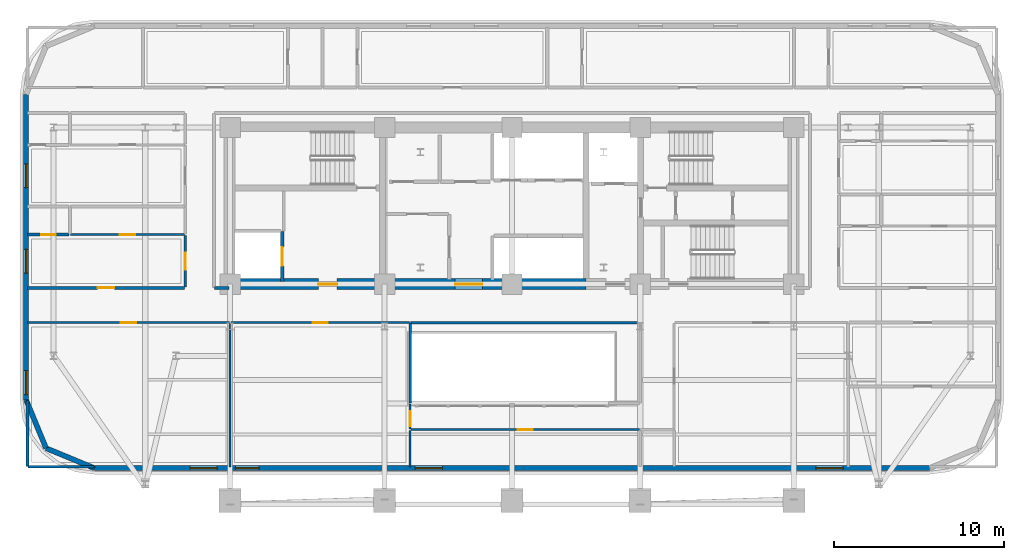
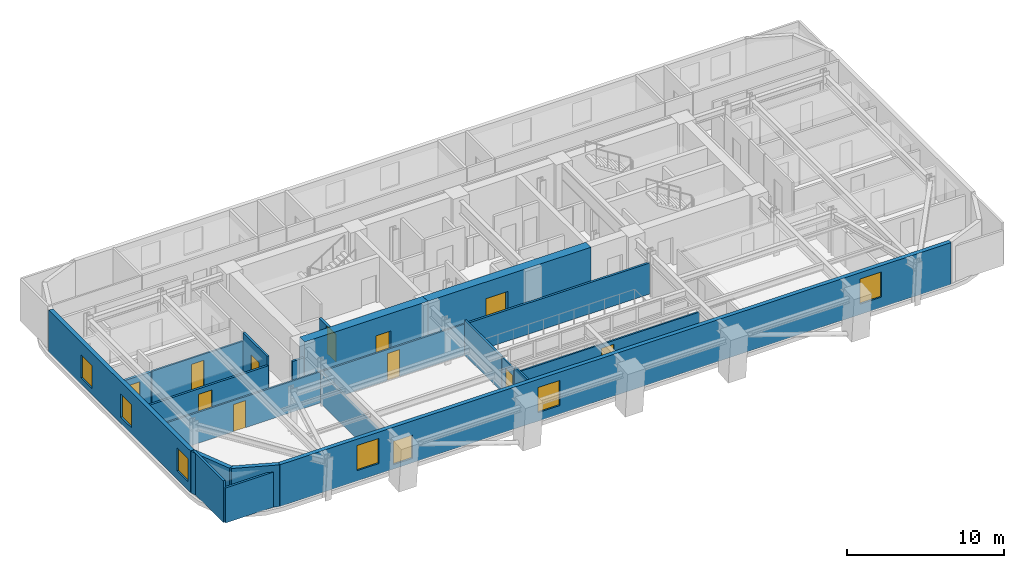
# One storey, part 7 of 14: 22 walls, 11 doors, 7 windows, 18 openings.
"""IFC4 building model written with IfcOpenShell, lengths in metres."""

from ifc_helpers import new_model, si_unit, direction, frame, frame_2d, origin, place, context, subcontext, project, spatial, rectangle, extrude, material, layer, layer_set, type_object, element, fill, save


model = new_model("IFC4")

# Units and contexts
model_context = context("Model", 3, precision=1e-05, world=origin(), true_north=direction((0.0, 1.0)))
body_context = subcontext(model_context, "Body", "Model", "MODEL_VIEW")
ifc_project = project(units=[si_unit("LENGTHUNIT", "METRE"), si_unit("AREAUNIT", "SQUARE_METRE"), si_unit("VOLUMEUNIT", "CUBIC_METRE"), si_unit("PLANEANGLEUNIT", "RADIAN"), si_unit("MASSUNIT", "GRAM", prefix="KILO")], contexts=[model_context])

# Site, building, storey
site_placement = place(None, origin())
site = spatial("IfcSite", under=ifc_project, at=site_placement, CompositionType="ELEMENT")
building_placement = place(site_placement, origin())
building = spatial("IfcBuilding", under=site, at=building_placement, Name="Zarnavel Station Tower", CompositionType="ELEMENT")
storey_placement = place(building_placement, frame((0.0, 0.0, 122.300048828125)))
storey = spatial("IfcBuildingStorey", under=building, at=storey_placement, Name="L33", CompositionType="ELEMENT", Elevation=122.300048828125)

# Wall, opening, door
ifc_material_1 = material(Name="Concrete C60/75", Category="concrete")
ifc_layer_1 = layer(ifc_material_1, 0.64990234375)
ifc_layer_set_1 = layer_set([ifc_layer_1], Name="CW_650")
wall_type_1 = type_object("IfcWallType", Name="CW_650", PredefinedType="SHEAR", material=ifc_layer_set_1)
wall_1_placement = place(storey_placement, frame((21.179931640625, 27.820068359375, 0.0), z_axis=(0.0, 0.0, 1.0), x_axis=(-1.0, 0.0, 0.0)))
wall_1 = element("IfcWall", 1, at=wall_1_placement, inside=storey, type_object=wall_type_1, Name="L33 Rear Core Shear Wall S-W", PredefinedType="SHEAR", context=body_context, shape_type="SweptSolid", body=[
    extrude(rectangle(XDim=9.030029296875, YDim=0.64990234375, at=frame_2d((4.51513671875, 0.0))), origin(), (0.0, 0.0, 1.0), 3.5),
])
opening_1_placement = place(wall_1_placement, frame((2.679931640625, 0.0, 0.0)))
opening_1 = element("IfcOpeningElement", 2, at=opening_1_placement, cuts=wall_1, Name="Opening FD01", PredefinedType="OPENING", context=body_context, shape_type="SweptSolid", body=[
    extrude(rectangle(XDim=1.10009765625, YDim=2.14990234375, at=frame_2d((0.550048828125, 1.074951171875))), frame((0.0, 0.3349609375, 0.0), z_axis=(0.0, -1.0, 0.0), x_axis=(1.0, 0.0, 0.0)), (0.0, 0.0, 1.0), 0.669921875),
])
ifc_material_2 = material(Name="Painted Galvanised Steel and Hardwood Leaf", Category="steel")
door_type_1 = type_object("IfcDoorType", Name="ID_STAIR_1100", OperationType="NOTDEFINED", PredefinedType="DOOR", material=ifc_material_2)
door_1_placement = place(opening_1_placement, origin())
door_1 = element("IfcDoor", 3, at=door_1_placement, inside=storey, type_object=door_type_1, Name="L33 West Firefighting Lobby Door", OperationType="SINGLE_SWING_RIGHT", OverallHeight=2.14990234375, OverallWidth=1.10009765625, PredefinedType="DOOR", context=body_context, shape_type="SweptSolid", body=[
    extrude(rectangle(XDim=1.10009765625, YDim=2.14990234375, at=frame_2d((0.550048828125, 1.074951171875))), frame((0.0, 0.02490234375, 0.0), z_axis=(0.0, -1.0, 0.0), x_axis=(1.0, 0.0, 0.0)), (0.0, 0.0, 1.0), 0.050048828125),
])
fill(opening_1, door_1)

wall_2_placement = place(storey_placement, frame((33.14990234375, 27.820068359375, 0.0), z_axis=(0.0, 0.0, 1.0), x_axis=(-1.0, 0.0, 0.0)))
wall_2 = element("IfcWall", 4, at=wall_2_placement, inside=storey, type_object=wall_type_1, Name="L33 Rear Core Shear Wall S-M", PredefinedType="SHEAR", context=body_context, shape_type="SweptSolid", body=[
    extrude(rectangle(XDim=11.969970703125, YDim=0.64990234375, at=frame_2d((5.98486328125, 0.0))), origin(), (0.0, 0.0, 1.0), 3.5),
])
opening_2_placement = place(wall_2_placement, frame((6.10009765625, 0.0, 0.0)))
opening_2 = element("IfcOpeningElement", 5, at=opening_2_placement, cuts=wall_2, Name="Opening ID03", PredefinedType="OPENING", context=body_context, shape_type="SweptSolid", body=[
    extrude(rectangle(XDim=1.60009765625, YDim=2.199951171875, at=frame_2d((0.800048828125, 1.10009765625))), frame((0.0, 0.3349609375, 0.0), z_axis=(0.0, -1.0, 0.0), x_axis=(1.0, 0.0, 0.0)), (0.0, 0.0, 1.0), 0.669921875),
])
ifc_material_3 = material(Name="Painted Galvanised Steel and Hardwood Leaf", Category="steel")
door_type_2 = type_object("IfcDoorType", Name="ID_PUBLIC_1600", OperationType="DOUBLE_DOOR_SINGLE_SWING", PredefinedType="DOOR", material=ifc_material_3)
door_2_placement = place(opening_2_placement, origin())
door_2 = element("IfcDoor", 6, at=door_2_placement, inside=storey, type_object=door_type_2, Name="L33 Passenger Lift Lobby Double Door", OperationType="SINGLE_SWING_LEFT", OverallHeight=2.199951171875, OverallWidth=1.60009765625, PredefinedType="DOOR", context=body_context, shape_type="SweptSolid", body=[
    extrude(rectangle(XDim=1.60009765625, YDim=2.199951171875, at=frame_2d((0.800048828125, 1.10009765625))), frame((0.0, 0.02490234375, 0.0), z_axis=(0.0, -1.0, 0.0), x_axis=(1.0, 0.0, 0.0)), (0.0, 0.0, 1.0), 0.050048828125),
])
fill(opening_2, door_2)

# Wall, openings, windows
ifc_material_4 = material(Name="Precast concrete C45/55 (Dark Basalt Finish)", Category="masonry")
ifc_layer_2 = layer(ifc_material_4, 0.300048828125)
ifc_layer_set_2 = layer_set([ifc_layer_2], Name="EW_BASALT_300")
wall_type_2 = type_object("IfcWallType", Name="EW_BASALT_300", PredefinedType="SOLIDWALL", material=ifc_layer_set_2)
wall_3_placement = place(storey_placement, frame((0.179931640625, 21.0, 0.0), z_axis=(0.0, 0.0, 1.0), x_axis=(0.0, 1.0, 0.0)))
wall_3 = element("IfcWall", 7, at=wall_3_placement, inside=storey, type_object=wall_type_2, Name="L33 Exterior Basalt Masonry Frame Wall 09", PredefinedType="SOLIDWALL", context=body_context, shape_type="SweptSolid", body=[
    extrude(rectangle(XDim=18.0, YDim=0.300048828125, at=frame_2d((9.0, 0.0))), origin(), (0.0, 0.0, 1.0), 3.239990234375),
])
opening_3_placement = place(wall_3_placement, frame((7.470458984375, 0.0, 0.47998046875)))
opening_3 = element("IfcOpeningElement", 8, at=opening_3_placement, cuts=wall_3, Name="Opening WN01", PredefinedType="OPENING", context=body_context, shape_type="SweptSolid", body=[
    extrude(rectangle(XDim=1.39990234375, YDim=1.800048828125, at=frame_2d((0.699951171875, 0.89990234375))), frame((0.0, 0.159912109375, 0.0), z_axis=(0.0, -1.0, 0.0), x_axis=(1.0, 0.0, 0.0)), (0.0, 0.0, 1.0), 0.320068359375),
])
opening_4_placement = place(wall_3_placement, frame((12.509033203125, 0.0, 0.47998046875)))
opening_4 = element("IfcOpeningElement", 9, at=opening_4_placement, cuts=wall_3, Name="Opening WN01", PredefinedType="OPENING", context=body_context, shape_type="SweptSolid", body=[
    extrude(rectangle(XDim=1.39990234375, YDim=1.800048828125, at=frame_2d((0.699951171875, 0.89990234375))), frame((0.0, 0.159912109375, 0.0), z_axis=(0.0, -1.0, 0.0), x_axis=(1.0, 0.0, 0.0)), (0.0, 0.0, 1.0), 0.320068359375),
])
opening_5_placement = place(wall_3_placement, frame((0.320068359375, 0.0, 0.64990234375)))
opening_5 = element("IfcOpeningElement", 10, at=opening_5_placement, cuts=wall_3, Name="Opening WN01", PredefinedType="OPENING", context=body_context, shape_type="SweptSolid", body=[
    extrude(rectangle(XDim=1.39990234375, YDim=1.800048828125, at=frame_2d((0.699951171875, 0.89990234375))), frame((0.0, 0.159912109375, 0.0), z_axis=(0.0, -1.0, 0.0), x_axis=(1.0, 0.0, 0.0)), (0.0, 0.0, 1.0), 0.320068359375),
])
ifc_material_5 = material(Name="Thermally Broken Black Aluminium and Low-E Dark Glass", Category="aluminium")
window_type_1 = type_object("IfcWindowType", Name="WN_1400x1800", PartitioningType="DOUBLE_PANEL_VERTICAL", PredefinedType="WINDOW", material=ifc_material_5)
window_1_placement = place(opening_3_placement, origin())
window_1 = element("IfcWindow", 11, at=window_1_placement, inside=storey, type_object=window_type_1, Name="L33 Recessed Facade Window 01", OverallHeight=1.800048828125, OverallWidth=1.39990234375, PartitioningType="SINGLE_PANEL", PredefinedType="WINDOW", context=body_context, shape_type="SweptSolid", body=[
    extrude(rectangle(XDim=1.39990234375, YDim=1.800048828125, at=frame_2d((0.699951171875, 0.89990234375))), frame((0.0, 0.030029296875, 0.0), z_axis=(0.0, -1.0, 0.0), x_axis=(1.0, 0.0, 0.0)), (0.0, 0.0, 1.0), 0.06005859375),
])
fill(opening_3, window_1)
window_2_placement = place(opening_4_placement, origin())
window_2 = element("IfcWindow", 12, at=window_2_placement, inside=storey, type_object=window_type_1, Name="L33 Recessed Facade Window 02", OverallHeight=1.800048828125, OverallWidth=1.39990234375, PartitioningType="SINGLE_PANEL", PredefinedType="WINDOW", context=body_context, shape_type="SweptSolid", body=[
    extrude(rectangle(XDim=1.39990234375, YDim=1.800048828125, at=frame_2d((0.699951171875, 0.89990234375))), frame((0.0, 0.030029296875, 0.0), z_axis=(0.0, -1.0, 0.0), x_axis=(1.0, 0.0, 0.0)), (0.0, 0.0, 1.0), 0.06005859375),
])
fill(opening_4, window_2)
window_3_placement = place(opening_5_placement, origin())
window_3 = element("IfcWindow", 13, at=window_3_placement, inside=storey, type_object=window_type_1, Name="L33 Recessed Facade Window 03", OverallHeight=1.800048828125, OverallWidth=1.39990234375, PartitioningType="SINGLE_PANEL", PredefinedType="WINDOW", context=body_context, shape_type="SweptSolid", body=[
    extrude(rectangle(XDim=1.39990234375, YDim=1.800048828125, at=frame_2d((0.699951171875, 0.89990234375))), frame((0.0, 0.030029296875, 0.0), z_axis=(0.0, -1.0, 0.0), x_axis=(1.0, 0.0, 0.0)), (0.0, 0.0, 1.0), 0.06005859375),
])
fill(opening_5, window_3)

# Walls
for number, where, z_axis, x_axis, name in (
    (14, (1.357421875, 18.157470703125, 0.0), (0.0, 0.0, 1.0), (-0.382704529509, 0.923870793506, 0.0), "L33 Exterior Basalt Masonry Frame Wall 10"),
    (15, (4.199951171875, 16.97998046875, 0.0), (0.0, 0.0, 1.0), (-0.923870793506, 0.382704529509, 0.0), "L33 Exterior Basalt Masonry Frame Wall 11"),
):
    element("IfcWall", number, at=place(storey_placement, frame(where, z_axis=z_axis, x_axis=x_axis)), inside=storey, type_object=wall_type_2, Name=name, PredefinedType="SOLIDWALL", context=body_context, shape_type="SweptSolid", body=[
        extrude(rectangle(XDim=3.07666015625, YDim=0.300048828125, at=frame_2d((1.538330078125, 0.0))), origin(), (0.0, 0.0, 1.0), 3.239990234375),
    ])

# Wall, openings, windows
wall_4_placement = place(storey_placement, frame((53.39990234375, 16.97998046875, 0.0), z_axis=(0.0, 0.0, 1.0), x_axis=(-1.0, 0.0, 0.0)))
wall_4 = element("IfcWall", 16, at=wall_4_placement, inside=storey, type_object=wall_type_2, Name="L33 Exterior Basalt Masonry Frame Wall 12", PredefinedType="SOLIDWALL", context=body_context, shape_type="SweptSolid", body=[
    extrude(rectangle(XDim=49.199951171875, YDim=0.300048828125, at=frame_2d((24.60009765625, 0.0))), origin(), (0.0, 0.0, 1.0), 3.239990234375),
])
opening_6_placement = place(wall_4_placement, frame((41.96240234375, 0.0, 0.800048828125)))
opening_6 = element("IfcOpeningElement", 17, at=opening_6_placement, cuts=wall_4, Name="Opening WN06", PredefinedType="OPENING", context=body_context, shape_type="SweptSolid", body=[
    extrude(rectangle(XDim=1.60009765625, YDim=1.949951171875, at=frame_2d((0.800048828125, 0.97509765625))), frame((0.0, 0.159912109375, 0.0), z_axis=(0.0, -1.0, 0.0), x_axis=(1.0, 0.0, 0.0)), (0.0, 0.0, 1.0), 0.320068359375),
])
opening_7_placement = place(wall_4_placement, frame((39.5, 0.0, 0.340087890625)))
opening_7 = element("IfcOpeningElement", 18, at=opening_7_placement, cuts=wall_4, Name="Opening WN01", PredefinedType="OPENING", context=body_context, shape_type="SweptSolid", body=[
    extrude(rectangle(XDim=1.39990234375, YDim=1.800048828125, at=frame_2d((0.699951171875, 0.89990234375))), frame((0.0, 0.159912109375, 0.0), z_axis=(0.0, -1.0, 0.0), x_axis=(1.0, 0.0, 0.0)), (0.0, 0.0, 1.0), 0.320068359375),
])
opening_8_placement = place(wall_4_placement, frame((28.699951171875, 0.0, 0.64990234375)))
opening_8 = element("IfcOpeningElement", 19, at=opening_8_placement, cuts=wall_4, Name="Opening WN06", PredefinedType="OPENING", context=body_context, shape_type="SweptSolid", body=[
    extrude(rectangle(XDim=1.60009765625, YDim=1.949951171875, at=frame_2d((0.800048828125, 0.97509765625))), frame((0.0, 0.159912109375, 0.0), z_axis=(0.0, -1.0, 0.0), x_axis=(1.0, 0.0, 0.0)), (0.0, 0.0, 1.0), 0.320068359375),
])
opening_9_placement = place(wall_4_placement, frame((5.10009765625, 0.0, 0.800048828125)))
opening_9 = element("IfcOpeningElement", 20, at=opening_9_placement, cuts=wall_4, Name="Opening WN06", PredefinedType="OPENING", context=body_context, shape_type="SweptSolid", body=[
    extrude(rectangle(XDim=1.60009765625, YDim=1.949951171875, at=frame_2d((0.800048828125, 0.97509765625))), frame((0.0, 0.159912109375, 0.0), z_axis=(0.0, -1.0, 0.0), x_axis=(1.0, 0.0, 0.0)), (0.0, 0.0, 1.0), 0.320068359375),
])
window_4_placement = place(opening_7_placement, origin())
window_4 = element("IfcWindow", 21, at=window_4_placement, inside=storey, type_object=window_type_1, Name="L33 Recessed Facade Window 02", OverallHeight=1.800048828125, OverallWidth=1.39990234375, PartitioningType="SINGLE_PANEL", PredefinedType="WINDOW", context=body_context, shape_type="SweptSolid", body=[
    extrude(rectangle(XDim=1.39990234375, YDim=1.800048828125, at=frame_2d((0.699951171875, 0.89990234375))), frame((0.0, 0.030029296875, 0.0), z_axis=(0.0, -1.0, 0.0), x_axis=(1.0, 0.0, 0.0)), (0.0, 0.0, 1.0), 0.06005859375),
])
fill(opening_7, window_4)
ifc_material_6 = material(Name="Thermally Broken Black Aluminium and Low-E Dark Glass", Category="aluminium")
window_type_2 = type_object("IfcWindowType", Name="WN_1600x1950", PartitioningType="DOUBLE_PANEL_VERTICAL", PredefinedType="WINDOW", material=ifc_material_6)
window_5_placement = place(opening_6_placement, origin())
window_5 = element("IfcWindow", 22, at=window_5_placement, inside=storey, type_object=window_type_2, Name="L33 Recessed Facade Window 01", OverallHeight=1.949951171875, OverallWidth=1.60009765625, PartitioningType="SINGLE_PANEL", PredefinedType="WINDOW", context=body_context, shape_type="SweptSolid", body=[
    extrude(rectangle(XDim=1.60009765625, YDim=1.949951171875, at=frame_2d((0.800048828125, 0.97509765625))), frame((0.0, 0.030029296875, 0.0), z_axis=(0.0, -1.0, 0.0), x_axis=(1.0, 0.0, 0.0)), (0.0, 0.0, 1.0), 0.06005859375),
])
fill(opening_6, window_5)
window_6_placement = place(opening_8_placement, origin())
window_6 = element("IfcWindow", 23, at=window_6_placement, inside=storey, type_object=window_type_2, Name="L33 Recessed Facade Window 03", OverallHeight=1.949951171875, OverallWidth=1.60009765625, PartitioningType="SINGLE_PANEL", PredefinedType="WINDOW", context=body_context, shape_type="SweptSolid", body=[
    extrude(rectangle(XDim=1.60009765625, YDim=1.949951171875, at=frame_2d((0.800048828125, 0.97509765625))), frame((0.0, 0.030029296875, 0.0), z_axis=(0.0, -1.0, 0.0), x_axis=(1.0, 0.0, 0.0)), (0.0, 0.0, 1.0), 0.06005859375),
])
fill(opening_8, window_6)
window_7_placement = place(opening_9_placement, origin())
window_7 = element("IfcWindow", 24, at=window_7_placement, inside=storey, type_object=window_type_2, Name="L33 Recessed Facade Window 04", OverallHeight=1.949951171875, OverallWidth=1.60009765625, PartitioningType="SINGLE_PANEL", PredefinedType="WINDOW", context=body_context, shape_type="SweptSolid", body=[
    extrude(rectangle(XDim=1.60009765625, YDim=1.949951171875, at=frame_2d((0.800048828125, 0.97509765625))), frame((0.0, 0.030029296875, 0.0), z_axis=(0.0, -1.0, 0.0), x_axis=(1.0, 0.0, 0.0)), (0.0, 0.0, 1.0), 0.06005859375),
])
fill(opening_9, window_7)

# Wall, opening, door
ifc_material_7 = material(Name="Gypsum Twin-Stud Acoustic Fire Partition", Category="concrete")
ifc_layer_3 = layer(ifc_material_7, 0.159912109375)
ifc_layer_set_3 = layer_set([ifc_layer_3], Name="PT_DEMISE_160")
wall_type_3 = type_object("IfcWallType", Name="PT_DEMISE_160", PredefinedType="PARTITIONING", material=ifc_layer_set_3)
wall_5_placement = place(storey_placement, frame((0.260009765625, 27.60009765625, 0.0), z_axis=(0.0, 0.0, 1.0), x_axis=(1.0, 0.0, 0.0)))
wall_5 = element("IfcWall", 25, at=wall_5_placement, inside=storey, type_object=wall_type_3, Name="L33 Partition COR-S-FNW1R", PredefinedType="PARTITIONING", context=body_context, shape_type="SweptSolid", body=[
    extrude(rectangle(XDim=9.25, YDim=0.159912109375, at=frame_2d((4.625, 0.0))), origin(), (0.0, 0.0, 1.0), 2.570068359375),
])
opening_10_placement = place(wall_5_placement, frame((4.125, 0.0, 0.0)))
opening_10 = element("IfcOpeningElement", 26, at=opening_10_placement, cuts=wall_5, Name="Opening FD02", PredefinedType="OPENING", context=body_context, shape_type="SweptSolid", body=[
    extrude(rectangle(XDim=1.0, YDim=2.14990234375, at=frame_2d((0.5, 1.074951171875))), frame((0.0, 0.08984375, 0.0), z_axis=(0.0, -1.0, 0.0), x_axis=(1.0, 0.0, 0.0)), (0.0, 0.0, 1.0), 0.179931640625),
])
ifc_material_8 = material(Name="Painted Galvanised Steel and Hardwood Leaf", Category="steel")
door_type_3 = type_object("IfcDoorType", Name="ID_ENTRY_1000", OperationType="NOTDEFINED", PredefinedType="DOOR", material=ifc_material_8)
door_3_placement = place(opening_10_placement, origin())
door_3 = element("IfcDoor", 27, at=door_3_placement, inside=storey, type_object=door_type_3, Name="L33 Door COR-S-FNW1R", OperationType="SINGLE_SWING_RIGHT", OverallHeight=2.14990234375, OverallWidth=1.0, PredefinedType="DOOR", context=body_context, shape_type="SweptSolid", body=[
    extrude(rectangle(XDim=1.0, YDim=2.14990234375, at=frame_2d((0.5, 1.074951171875))), frame((0.0, 0.02490234375, 0.0), z_axis=(0.0, -1.0, 0.0), x_axis=(1.0, 0.0, 0.0)), (0.0, 0.0, 1.0), 0.050048828125),
])
fill(opening_10, door_3)

wall_6_placement = place(storey_placement, frame((9.550048828125, 27.639892578125, 0.0), z_axis=(0.0, 0.0, 1.0), x_axis=(0.0, 1.0, 0.0)))
wall_6 = element("IfcWall", 28, at=wall_6_placement, inside=storey, type_object=wall_type_3, Name="L33 Partition COR-W-FNW1R", PredefinedType="PARTITIONING", context=body_context, shape_type="SweptSolid", body=[
    extrude(rectangle(XDim=3.06103515625, YDim=0.159912109375, at=frame_2d((1.530517578125, 0.0))), origin(), (0.0, 0.0, 1.0), 3.239990234375),
])
opening_11_placement = place(wall_6_placement, frame((1.030517578125, 0.0, 0.0)))
opening_11 = element("IfcOpeningElement", 29, at=opening_11_placement, cuts=wall_6, Name="Opening FD02", PredefinedType="OPENING", context=body_context, shape_type="SweptSolid", body=[
    extrude(rectangle(XDim=1.0, YDim=2.14990234375, at=frame_2d((0.5, 1.074951171875))), frame((0.0, 0.08984375, 0.0), z_axis=(0.0, -1.0, 0.0), x_axis=(1.0, 0.0, 0.0)), (0.0, 0.0, 1.0), 0.179931640625),
])
door_4_placement = place(opening_11_placement, origin())
door_4 = element("IfcDoor", 30, at=door_4_placement, inside=storey, type_object=door_type_3, Name="L33 Door COR-W-FNW1R", OperationType="SINGLE_SWING_RIGHT", OverallHeight=2.14990234375, OverallWidth=1.0, PredefinedType="DOOR", context=body_context, shape_type="SweptSolid", body=[
    extrude(rectangle(XDim=1.0, YDim=2.14990234375, at=frame_2d((0.5, 1.074951171875))), frame((0.0, 0.02490234375, 0.0), z_axis=(0.0, -1.0, 0.0), x_axis=(1.0, 0.0, 0.0)), (0.0, 0.0, 1.0), 0.050048828125),
])
fill(opening_11, door_4)

# Walls
wall_7_placement = place(storey_placement, frame((22.830078125, 25.550048828125, 0.0), z_axis=(0.0, 0.0, 1.0), x_axis=(1.0, 0.0, 0.0)))
element("IfcWall", 31, at=wall_7_placement, inside=storey, type_object=wall_type_3, Name="L33 Enclosure Wall COR-S", PredefinedType="PARTITIONING", context=body_context, shape_type="SweptSolid", body=[
    extrude(rectangle(XDim=13.489990234375, YDim=0.159912109375, at=frame_2d((6.7451171875, 0.0))), origin(), (0.0, 0.0, 1.0), 2.406005859375),
])
wall_8_placement = place(storey_placement, frame((11.280029296875, 27.60009765625, 0.0), z_axis=(0.0, 0.0, 1.0), x_axis=(1.0, 0.0, 0.0)))
element("IfcWall", 32, at=wall_8_placement, inside=storey, type_object=wall_type_3, Name="L33 Enclosure Wall COR-S", PredefinedType="PARTITIONING", context=body_context, shape_type="SweptSolid", body=[
    extrude(rectangle(XDim=0.840087890625, YDim=0.159912109375, at=frame_2d((0.419921875, 0.0))), origin(), (0.0, 0.0, 1.0), 2.280029296875),
])
wall_9_placement = place(storey_placement, frame((0.2900390625, 17.06005859375, 0.0), z_axis=(0.0, 0.0, 1.0), x_axis=(1.0, 0.0, 0.0)))
element("IfcWall", 33, at=wall_9_placement, inside=storey, type_object=wall_type_3, Name="L33 Enclosure Wall L33SPA", PredefinedType="PARTITIONING", context=body_context, shape_type="SweptSolid", body=[
    extrude(rectangle(XDim=3.8798828125, YDim=0.159912109375, at=frame_2d((1.93994140625, 0.0))), origin(), (0.0, 0.0, 1.0), 2.719970703125),
])
wall_10_placement = place(storey_placement, frame((0.260009765625, 17.090087890625, 0.0), z_axis=(0.0, 0.0, 1.0), x_axis=(0.0, 1.0, 0.0)))
element("IfcWall", 34, at=wall_10_placement, inside=storey, type_object=wall_type_3, Name="L33 Enclosure Wall L33SPA", PredefinedType="PARTITIONING", context=body_context, shape_type="SweptSolid", body=[
    extrude(rectangle(XDim=3.8798828125, YDim=0.159912109375, at=frame_2d((1.93994140625, 0.0))), origin(), (0.0, 0.0, 1.0), 3.239990234375),
])
wall_11_placement = place(storey_placement, frame((22.800048828125, 20.830078125, 0.0), z_axis=(0.0, 0.0, 1.0), x_axis=(0.0, 1.0, 0.0)))
element("IfcWall", 35, at=wall_11_placement, inside=storey, type_object=wall_type_3, Name="L33 Enclosure Wall L33TRM", PredefinedType="PARTITIONING", context=body_context, shape_type="SweptSolid", body=[
    extrude(rectangle(XDim=4.68994140625, YDim=0.159912109375, at=frame_2d((2.344970703125, 0.0))), origin(), (0.0, 0.0, 1.0), 2.679931640625),
])

# Wall, opening, door
ifc_material_9 = material(Name="Gypsum Metal-Stud Interior Partition", Category="concrete")
ifc_layer_4 = layer(ifc_material_9, 0.1201171875)
ifc_layer_set_4 = layer_set([ifc_layer_4], Name="PT_ROOM_120")
wall_type_4 = type_object("IfcWallType", Name="PT_ROOM_120", PredefinedType="PARTITIONING", material=ifc_layer_set_4)
wall_12_placement = place(storey_placement, frame((0.260009765625, 25.550048828125, 0.0), z_axis=(0.0, 0.0, 1.0), x_axis=(1.0, 0.0, 0.0)))
wall_12 = element("IfcWall", 36, at=wall_12_placement, inside=storey, type_object=wall_type_4, Name="L33 Partition COR-S-L33SPA", PredefinedType="PARTITIONING", context=body_context, shape_type="SweptSolid", body=[
    extrude(rectangle(XDim=11.89990234375, YDim=0.1201171875, at=frame_2d((5.949951171875, 0.0))), origin(), (0.0, 0.0, 1.0), 2.406005859375),
])
opening_12_placement = place(wall_12_placement, frame((5.5, 0.0, 0.0)))
opening_12 = element("IfcOpeningElement", 37, at=opening_12_placement, cuts=wall_12, Name="Opening ID01", PredefinedType="OPENING", context=body_context, shape_type="SweptSolid", body=[
    extrude(rectangle(XDim=0.89990234375, YDim=2.10009765625, at=frame_2d((0.449951171875, 1.050048828125))), frame((0.0, 0.070068359375, 0.0), z_axis=(0.0, -1.0, 0.0), x_axis=(1.0, 0.0, 0.0)), (0.0, 0.0, 1.0), 0.14013671875),
])
ifc_material_10 = material(Name="Painted Galvanised Steel and Hardwood Leaf", Category="steel")
door_type_4 = type_object("IfcDoorType", Name="ID_ROOM_900", OperationType="NOTDEFINED", PredefinedType="DOOR", material=ifc_material_10)
door_5_placement = place(opening_12_placement, origin())
door_5 = element("IfcDoor", 38, at=door_5_placement, inside=storey, type_object=door_type_4, Name="L33 Door COR-S-L33SPA", OperationType="SINGLE_SWING_RIGHT", OverallHeight=2.10009765625, OverallWidth=0.89990234375, PredefinedType="DOOR", context=body_context, shape_type="SweptSolid", body=[
    extrude(rectangle(XDim=0.89990234375, YDim=2.10009765625, at=frame_2d((0.449951171875, 1.050048828125))), frame((0.0, 0.02490234375, 0.0), z_axis=(0.0, -1.0, 0.0), x_axis=(1.0, 0.0, 0.0)), (0.0, 0.0, 1.0), 0.050048828125),
])
fill(opening_12, door_5)

wall_13_placement = place(storey_placement, frame((12.239990234375, 25.550048828125, 0.0), z_axis=(0.0, 0.0, 1.0), x_axis=(1.0, 0.0, 0.0)))
wall_13 = element("IfcWall", 39, at=wall_13_placement, inside=storey, type_object=wall_type_4, Name="L33 Partition COR-S-L33TRM", PredefinedType="PARTITIONING", context=body_context, shape_type="SweptSolid", body=[
    extrude(rectangle(XDim=10.52001953125, YDim=0.1201171875, at=frame_2d((5.260009765625, 0.0))), origin(), (0.0, 0.0, 1.0), 2.406005859375),
])
opening_13_placement = place(wall_13_placement, frame((4.81005859375, 0.0, 0.0)))
opening_13 = element("IfcOpeningElement", 40, at=opening_13_placement, cuts=wall_13, Name="Opening ID01", PredefinedType="OPENING", context=body_context, shape_type="SweptSolid", body=[
    extrude(rectangle(XDim=0.89990234375, YDim=2.10009765625, at=frame_2d((0.449951171875, 1.050048828125))), frame((0.0, 0.070068359375, 0.0), z_axis=(0.0, -1.0, 0.0), x_axis=(1.0, 0.0, 0.0)), (0.0, 0.0, 1.0), 0.14013671875),
])
door_6_placement = place(opening_13_placement, origin())
door_6 = element("IfcDoor", 41, at=door_6_placement, inside=storey, type_object=door_type_4, Name="L33 Door COR-S-L33TRM", OperationType="SINGLE_SWING_LEFT", OverallHeight=2.10009765625, OverallWidth=0.89990234375, PredefinedType="DOOR", context=body_context, shape_type="SweptSolid", body=[
    extrude(rectangle(XDim=0.89990234375, YDim=2.10009765625, at=frame_2d((0.449951171875, 1.050048828125))), frame((0.0, 0.02490234375, 0.0), z_axis=(0.0, -1.0, 0.0), x_axis=(1.0, 0.0, 0.0)), (0.0, 0.0, 1.0), 0.050048828125),
])
fill(opening_13, door_6)

wall_14_placement = place(storey_placement, frame((22.800048828125, 19.2900390625, 0.0), z_axis=(0.0, 0.0, 1.0), x_axis=(0.0, 1.0, 0.0)))
wall_14 = element("IfcWall", 42, at=wall_14_placement, inside=storey, type_object=wall_type_4, Name="L33 Partition COR-AS-L33TRM", PredefinedType="PARTITIONING", context=body_context, shape_type="SweptSolid", body=[
    extrude(rectangle(XDim=1.469970703125, YDim=0.1201171875, at=frame_2d((0.73486328125, 0.0))), origin(), (0.0, 0.0, 1.0), 2.679931640625),
])
opening_14_placement = place(wall_14_placement, frame((0.152099609375, 0.0, 0.0)))
opening_14 = element("IfcOpeningElement", 43, at=opening_14_placement, cuts=wall_14, Name="Opening ID01", PredefinedType="OPENING", context=body_context, shape_type="SweptSolid", body=[
    extrude(rectangle(XDim=0.89990234375, YDim=2.10009765625, at=frame_2d((0.449951171875, 1.050048828125))), frame((0.0, 0.070068359375, 0.0), z_axis=(0.0, -1.0, 0.0), x_axis=(1.0, 0.0, 0.0)), (0.0, 0.0, 1.0), 0.14013671875),
])
door_7_placement = place(opening_14_placement, origin())
door_7 = element("IfcDoor", 44, at=door_7_placement, inside=storey, type_object=door_type_4, Name="L33 Door COR-AS-L33TRM", OperationType="SINGLE_SWING_RIGHT", OverallHeight=2.10009765625, OverallWidth=0.89990234375, PredefinedType="DOOR", context=body_context, shape_type="SweptSolid", body=[
    extrude(rectangle(XDim=0.89990234375, YDim=2.10009765625, at=frame_2d((0.449951171875, 1.050048828125))), frame((0.0, 0.02490234375, 0.0), z_axis=(0.0, -1.0, 0.0), x_axis=(1.0, 0.0, 0.0)), (0.0, 0.0, 1.0), 0.050048828125),
])
fill(opening_14, door_7)

wall_15_placement = place(storey_placement, frame((22.840087890625, 19.25, 0.0), z_axis=(0.0, 0.0, 1.0), x_axis=(1.0, 0.0, 0.0)))
wall_15 = element("IfcWall", 45, at=wall_15_placement, inside=storey, type_object=wall_type_4, Name="L33 Partition COR-AS-L33TEA", PredefinedType="PARTITIONING", context=body_context, shape_type="SweptSolid", body=[
    extrude(rectangle(XDim=13.469970703125, YDim=0.1201171875, at=frame_2d((6.73486328125, 0.0))), origin(), (0.0, 0.0, 1.0), 2.406005859375),
])
opening_15_placement = place(wall_15_placement, frame((6.284912109375, 0.0, 0.0)))
opening_15 = element("IfcOpeningElement", 46, at=opening_15_placement, cuts=wall_15, Name="Opening ID01", PredefinedType="OPENING", context=body_context, shape_type="SweptSolid", body=[
    extrude(rectangle(XDim=0.89990234375, YDim=2.10009765625, at=frame_2d((0.449951171875, 1.050048828125))), frame((0.0, 0.070068359375, 0.0), z_axis=(0.0, -1.0, 0.0), x_axis=(1.0, 0.0, 0.0)), (0.0, 0.0, 1.0), 0.14013671875),
])
door_8_placement = place(opening_15_placement, origin())
door_8 = element("IfcDoor", 47, at=door_8_placement, inside=storey, type_object=door_type_4, Name="L33 Door COR-AS-L33TEA", OperationType="SINGLE_SWING_LEFT", OverallHeight=2.10009765625, OverallWidth=0.89990234375, PredefinedType="DOOR", context=body_context, shape_type="SweptSolid", body=[
    extrude(rectangle(XDim=0.89990234375, YDim=2.10009765625, at=frame_2d((0.449951171875, 1.050048828125))), frame((0.0, 0.02490234375, 0.0), z_axis=(0.0, -1.0, 0.0), x_axis=(1.0, 0.0, 0.0)), (0.0, 0.0, 1.0), 0.050048828125),
])
fill(opening_15, door_8)

wall_16_placement = place(storey_placement, frame((2.800048828125, 30.740966796875, 0.0), z_axis=(0.0, 0.0, 1.0), x_axis=(1.0, 0.0, 0.0)))
wall_16 = element("IfcWall", 48, at=wall_16_placement, inside=storey, type_object=wall_type_4, Name="L33 Partition FNW1R-FNW1S", PredefinedType="PARTITIONING", context=body_context, shape_type="SweptSolid", body=[
    extrude(rectangle(XDim=6.7099609375, YDim=0.1201171875, at=frame_2d((3.35498046875, 0.0))), origin(), (0.0, 0.0, 1.0), 2.570068359375),
])
opening_16_placement = place(wall_16_placement, frame((2.905029296875, 0.0, 0.0)))
opening_16 = element("IfcOpeningElement", 49, at=opening_16_placement, cuts=wall_16, Name="Opening ID01", PredefinedType="OPENING", context=body_context, shape_type="SweptSolid", body=[
    extrude(rectangle(XDim=0.89990234375, YDim=2.10009765625, at=frame_2d((0.449951171875, 1.050048828125))), frame((0.0, 0.070068359375, 0.0), z_axis=(0.0, -1.0, 0.0), x_axis=(1.0, 0.0, 0.0)), (0.0, 0.0, 1.0), 0.14013671875),
])
door_9_placement = place(opening_16_placement, origin())
door_9 = element("IfcDoor", 50, at=door_9_placement, inside=storey, type_object=door_type_4, Name="L33 Door FNW1R-FNW1S", OperationType="SINGLE_SWING_LEFT", OverallHeight=2.10009765625, OverallWidth=0.89990234375, PredefinedType="DOOR", context=body_context, shape_type="SweptSolid", body=[
    extrude(rectangle(XDim=0.89990234375, YDim=2.10009765625, at=frame_2d((0.449951171875, 1.050048828125))), frame((0.0, 0.02490234375, 0.0), z_axis=(0.0, -1.0, 0.0), x_axis=(1.0, 0.0, 0.0)), (0.0, 0.0, 1.0), 0.050048828125),
])
fill(opening_16, door_9)

# Walls
wall_17_placement = place(storey_placement, frame((12.199951171875, 17.06005859375, 0.0), z_axis=(0.0, 0.0, 1.0), x_axis=(0.0, 1.0, 0.0)))
element("IfcWall", 51, at=wall_17_placement, inside=storey, type_object=wall_type_4, Name="L33 Partition L33SPA-L33TRM", PredefinedType="PARTITIONING", context=body_context, shape_type="SweptSolid", body=[
    extrude(rectangle(XDim=8.449951171875, YDim=0.1201171875, at=frame_2d((4.22509765625, 0.0))), origin(), (0.0, 0.0, 1.0), 2.406005859375),
])
wall_18_placement = place(storey_placement, frame((22.800048828125, 17.06005859375, 0.0), z_axis=(0.0, 0.0, 1.0), x_axis=(0.0, 1.0, 0.0)))
element("IfcWall", 52, at=wall_18_placement, inside=storey, type_object=wall_type_4, Name="L33 Partition L33TRM-L33TEA", PredefinedType="PARTITIONING", context=body_context, shape_type="SweptSolid", body=[
    extrude(rectangle(XDim=2.14990234375, YDim=0.1201171875, at=frame_2d((1.074951171875, 0.0))), origin(), (0.0, 0.0, 1.0), 2.919921875),
])

# Wall, opening, door
ifc_material_11 = material(Name="Precast concrete C45/55 (Fire Shaft Blockwork)", Category="masonry")
ifc_layer_5 = layer(ifc_material_11, 0.199951171875)
ifc_layer_set_5 = layer_set([ifc_layer_5], Name="PT_SHAFT_200")
wall_type_5 = type_object("IfcWallType", Name="PT_SHAFT_200", PredefinedType="PARTITIONING", material=ifc_layer_set_5)
wall_19_placement = place(storey_placement, frame((15.27001953125, 27.969970703125, 0.0), z_axis=(0.0, 0.0, 1.0), x_axis=(0.0, 1.0, 0.0)))
wall_19 = element("IfcWall", 53, at=wall_19_placement, inside=storey, type_object=wall_type_5, Name="L33 Lift FFL-01 Shaft Front Wall", PredefinedType="PARTITIONING", context=body_context, shape_type="SweptSolid", body=[
    extrude(rectangle(XDim=2.9599609375, YDim=0.199951171875, at=frame_2d((1.47998046875, 0.0))), origin(), (0.0, 0.0, 1.0), 2.2119140625),
])
opening_17_placement = place(wall_19_placement, frame((0.929931640625, 0.0, 0.0)))
opening_17 = element("IfcOpeningElement", 54, at=opening_17_placement, cuts=wall_19, Name="Opening LD01", PredefinedType="OPENING", context=body_context, shape_type="SweptSolid", body=[
    extrude(rectangle(XDim=1.10009765625, YDim=2.14990234375, at=frame_2d((0.550048828125, 1.074951171875))), frame((0.0, 0.10986328125, 0.0), z_axis=(0.0, -1.0, 0.0), x_axis=(1.0, 0.0, 0.0)), (0.0, 0.0, 1.0), 0.219970703125),
])
ifc_material_12 = material(Name="Painted Galvanised Steel and Hardwood Leaf", Category="steel")
door_type_5 = type_object("IfcDoorType", Name="LD_FF_1100", OperationType="DOUBLE_DOOR_SLIDING", PredefinedType="DOOR", material=ifc_material_12)
door_10_placement = place(opening_17_placement, origin())
door_10 = element("IfcDoor", 55, at=door_10_placement, inside=storey, type_object=door_type_5, Name="L33 Lift FFL-01 Sliding Landing Door", OperationType="DOUBLE_DOOR_SLIDING", OverallHeight=2.14990234375, OverallWidth=1.10009765625, PredefinedType="DOOR", context=body_context, shape_type="SweptSolid", body=[
    extrude(rectangle(XDim=1.10009765625, YDim=2.14990234375, at=frame_2d((0.550048828125, 1.074951171875))), frame((0.0, 0.02490234375, 0.0), z_axis=(0.0, -1.0, 0.0), x_axis=(1.0, 0.0, 0.0)), (0.0, 0.0, 1.0), 0.050048828125),
])
fill(opening_17, door_10)

ifc_material_13 = material(Name="Moisture-Resistant Plumbing Chase Wall", Category="concrete")
ifc_layer_6 = layer(ifc_material_13, 0.179931640625)
ifc_layer_set_6 = layer_set([ifc_layer_6], Name="PW_PLUMB_180")
wall_type_6 = type_object("IfcWallType", Name="PW_PLUMB_180", PredefinedType="PLUMBINGWALL", material=ifc_layer_set_6)
wall_20_placement = place(storey_placement, frame((0.260009765625, 30.740966796875, 0.0), z_axis=(0.0, 0.0, 1.0), x_axis=(1.0, 0.0, 0.0)))
wall_20 = element("IfcWall", 56, at=wall_20_placement, inside=storey, type_object=wall_type_6, Name="L33 Partition FNW1R-FNW1B", PredefinedType="PLUMBINGWALL", context=body_context, shape_type="SweptSolid", body=[
    extrude(rectangle(XDim=2.4599609375, YDim=0.179931640625, at=frame_2d((1.22998046875, 0.0))), origin(), (0.0, 0.0, 1.0), 2.570068359375),
])
opening_18_placement = place(wall_20_placement, frame((0.804931640625, 0.0, 0.0)))
opening_18 = element("IfcOpeningElement", 57, at=opening_18_placement, cuts=wall_20, Name="Opening ID02", PredefinedType="OPENING", context=body_context, shape_type="SweptSolid", body=[
    extrude(rectangle(XDim=0.85009765625, YDim=2.10009765625, at=frame_2d((0.425048828125, 1.050048828125))), frame((0.0, 0.099853515625, 0.0), z_axis=(0.0, -1.0, 0.0), x_axis=(1.0, 0.0, 0.0)), (0.0, 0.0, 1.0), 0.199951171875),
])
ifc_material_14 = material(Name="Painted Galvanised Steel and Hardwood Leaf", Category="steel")
door_type_6 = type_object("IfcDoorType", Name="ID_BATH_850", OperationType="NOTDEFINED", PredefinedType="DOOR", material=ifc_material_14)
door_11_placement = place(opening_18_placement, origin())
door_11 = element("IfcDoor", 58, at=door_11_placement, inside=storey, type_object=door_type_6, Name="L33 Door FNW1R-FNW1B", OperationType="SINGLE_SWING_RIGHT", OverallHeight=2.10009765625, OverallWidth=0.85009765625, PredefinedType="DOOR", context=body_context, shape_type="SweptSolid", body=[
    extrude(rectangle(XDim=0.85009765625, YDim=2.10009765625, at=frame_2d((0.425048828125, 1.050048828125))), frame((0.0, 0.02490234375, 0.0), z_axis=(0.0, -1.0, 0.0), x_axis=(1.0, 0.0, 0.0)), (0.0, 0.0, 1.0), 0.050048828125),
])
fill(opening_18, door_11)

save(model, "model.ifc")
